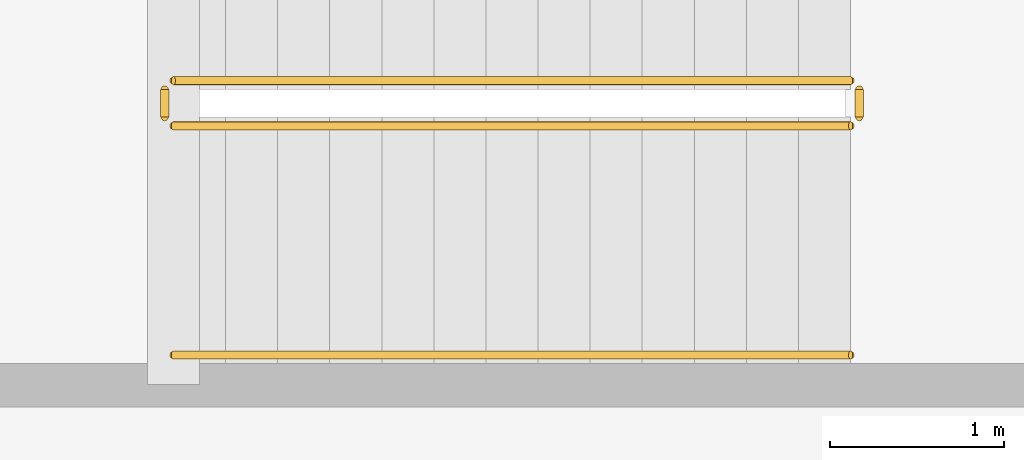
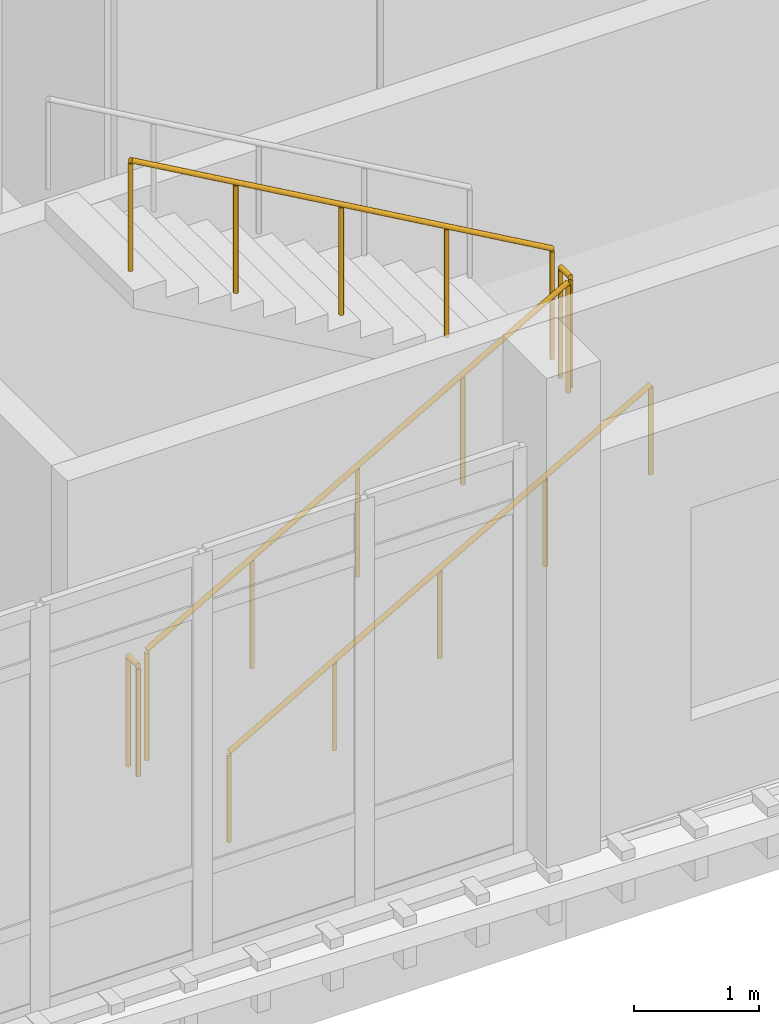
# One storey, part 89 of 101: 5 railings.
"""IFC4 building model written with IfcOpenShell, lengths in metres."""

import ifcopenshell
import ifcopenshell.guid

model = None  # the IFC model being written
_history = None  # IfcOwnerHistory: only IFC2X3 demands one
_inside = {}  # id of a spatial element -> (the spatial element, [elements in it])
_under = {}  # id of a project, library or spatial element -> (it, [spatial elements below it])
_declared = {}  # id of a project -> (the project, [libraries it declares])
_typed = {}  # id of a type object -> (the type object, [elements of that type])
_made_of = {}  # id of a material, layer set ... -> (it, [elements and type objects made of it])


def new_model(schema):
    """Start an empty IFC model of exactly this schema.

    Asked for "IFC4X3", IfcOpenShell would pick the latest addendum, in which some entities
    have other attributes; the version numbers below select the first issue.
    IFC2X3 requires an IfcOwnerHistory on every rooted entity: one is made here for all.
    """
    global model, _history
    if schema == "IFC4X3":
        model = ifcopenshell.file(schema_version=(4, 3, 0, 0))
    else:
        model = ifcopenshell.file(schema=schema)
    _inside.clear()
    _under.clear()
    _declared.clear()
    _typed.clear()
    _made_of.clear()
    _history = None
    if model.schema == "IFC2X3":
        org = make("IfcOrganization", Name="unknown")
        user = make(
            "IfcPersonAndOrganization",
            ThePerson=make("IfcPerson", FamilyName="unknown"),
            TheOrganization=org,
        )
        app = make(
            "IfcApplication",
            ApplicationDeveloper=org,
            Version="unknown",
            ApplicationFullName="unknown",
            ApplicationIdentifier="unknown",
        )
        _history = make(
            "IfcOwnerHistory",
            OwningUser=user,
            OwningApplication=app,
            ChangeAction="ADDED",
            CreationDate=0,
        )
    return model


def make(cls, **values):
    """One entity of the class cls with the attributes given. An attribute that is None is left unset."""
    return model.create_entity(
        cls, **{name: value for name, value in values.items() if value is not None}
    )


def rooted(cls, **values):
    """An entity with a GlobalId (a new one), such as an element, a storey or a relation."""
    return make(cls, GlobalId=ifcopenshell.guid.new(), OwnerHistory=_history, **values)


def si_unit(unit_type, name, prefix=None):
    """IfcSIUnit, for example si_unit("LENGTHUNIT", "METRE", prefix="MILLI")."""
    return make("IfcSIUnit", UnitType=unit_type, Prefix=prefix, Name=name)


def assignment(units):
    """IfcUnitAssignment: the units of a project."""
    return None if units is None else make("IfcUnitAssignment", Units=units)


def point(xyz):
    """IfcCartesianPoint."""
    return None if xyz is None else make("IfcCartesianPoint", Coordinates=xyz)


def direction(xyz):
    """IfcDirection."""
    return None if xyz is None else make("IfcDirection", DirectionRatios=xyz)


def frame(location, z_axis=None, x_axis=None):
    """IfcAxis2Placement3D, a coordinate frame: its origin and axes. An axis left out is left unset."""
    return make(
        "IfcAxis2Placement3D",
        Location=point(location),
        Axis=direction(z_axis),
        RefDirection=direction(x_axis),
    )


def frame_2d(location, x_axis=None):
    """IfcAxis2Placement2D, a coordinate frame in the plane: its origin and x axis."""
    return make(
        "IfcAxis2Placement2D", Location=point(location), RefDirection=direction(x_axis)
    )


def origin():
    """The frame at (0, 0, 0) with its axes left unset."""
    return frame((0.0, 0.0, 0.0))


def origin_2d():
    """The frame at (0, 0) in the plane with its x axis left unset."""
    return frame_2d((0.0, 0.0))


def place(relative_to, where):
    """IfcLocalPlacement: puts the frame where relative to a parent placement (None: the world)."""
    return make(
        "IfcLocalPlacement", PlacementRelTo=relative_to, RelativePlacement=where
    )


def context(
    kind, dimensions, precision=None, world=None, true_north=None, identifier=None
):
    """IfcGeometricRepresentationContext, for example the 3D "Model" context."""
    return make(
        "IfcGeometricRepresentationContext",
        ContextIdentifier=identifier,
        ContextType=kind,
        CoordinateSpaceDimension=dimensions,
        Precision=precision,
        WorldCoordinateSystem=world,
        TrueNorth=true_north,
    )


def subcontext(parent, identifier, kind, view, scale=None):
    """IfcGeometricRepresentationSubContext, for example "Body" below "Model"."""
    return make(
        "IfcGeometricRepresentationSubContext",
        ContextIdentifier=identifier,
        ContextType=kind,
        ParentContext=parent,
        TargetScale=scale,
        TargetView=view,
    )


def project(units=None, contexts=None):
    """IfcProject with its units and contexts."""
    return rooted(
        "IfcProject",
        Name="project",
        RepresentationContexts=contexts,
        UnitsInContext=assignment(units),
    )


def spatial(cls, under=None, at=None, **own):
    """A site, building, storey or space (cls), placed at a placement, below another one or the project."""
    s = rooted(cls, ObjectPlacement=at, **own)
    if under is not None:
        _under.setdefault(under.id(), (under, []))[1].append(s)
    return s


def profile(cls, at=None, kind="AREA", **sizes):
    """A parametric profile (cls). Its sizes go by their IFC names, for example OverallWidth=200.0."""
    return make(cls, ProfileType=kind, Position=at, **sizes)


def circle(**sizes):
    """IfcCircleProfileDef."""
    return profile("IfcCircleProfileDef", **sizes)


def extrude(swept, where, along, depth):
    """IfcExtrudedAreaSolid: the profile swept, set in the frame where, extruded along a direction by depth."""
    return make(
        "IfcExtrudedAreaSolid",
        SweptArea=swept,
        Position=where,
        ExtrudedDirection=direction(along),
        Depth=depth,
    )


def shape(context_of_items, identifier, shape_type, items):
    """IfcShapeRepresentation: the items that make up one representation, for example the "Body"."""
    return make(
        "IfcShapeRepresentation",
        ContextOfItems=context_of_items,
        RepresentationIdentifier=identifier,
        RepresentationType=shape_type,
        Items=items,
    )


def material(Name=None, Category=None):
    """IfcMaterial."""
    return make("IfcMaterial", Name=Name, Category=Category)


def layer(
    of_material, thickness, ventilated=None, Name=None, Category=None, Priority=None
):
    """IfcMaterialLayer: one layer of a wall or slab, of a material (None: an air gap)."""
    return make(
        "IfcMaterialLayer",
        Material=of_material,
        LayerThickness=thickness,
        IsVentilated=ventilated,
        Name=Name,
        Category=Category,
        Priority=Priority,
    )


def layer_set(layers, Name=None):
    """IfcMaterialLayerSet."""
    return make("IfcMaterialLayerSet", MaterialLayers=layers, LayerSetName=Name)


def made_of(thing, what):
    """Note that an element or type object is made of a material, layer set ...; save() writes the relation."""
    if what is not None:
        _made_of.setdefault(what.id(), (what, []))[1].append(thing)
    return thing


def type_object(cls, material=None, **own):
    """A type object (cls), such as IfcWallType, which elements share."""
    return made_of(rooted(cls, **own), material)


def element(
    cls,
    number,
    at=None,
    inside=None,
    cuts=None,
    type_object=None,
    material=None,
    context=None,
    identifier="Body",
    shape_type=None,
    held_by="IfcProductDefinitionShape",
    body=None,
    shapes=None,
    **own,
):
    """One element of the class cls, such as IfcWall. Its Tag is "e" and its number.

    at: its placement. inside: the storey or other place that contains it. cuts: it is an
    opening in that element (IfcRelVoidsElement). A single representation is given by context,
    identifier, shape_type and body (its items); several are given by shapes. held_by: the class
    of the entity that holds the representations. save() writes the other relations.
    """
    e = rooted(cls, Tag="e%d" % number, ObjectPlacement=at, **own)
    if body is not None:
        shapes = [shape(context, identifier, shape_type, body)]
    if shapes is not None:
        e.Representation = make(held_by, Representations=shapes)
    if inside is not None:
        _inside.setdefault(inside.id(), (inside, []))[1].append(e)
    if cuts is not None:
        rooted(
            "IfcRelVoidsElement", RelatingBuildingElement=cuts, RelatedOpeningElement=e
        )
    if type_object is not None:
        _typed.setdefault(type_object.id(), (type_object, []))[1].append(e)
    return made_of(e, material)


def aggregate(whole, parts):
    """IfcRelAggregates: a whole, such as a stair, and the parts it consists of."""
    return rooted("IfcRelAggregates", RelatingObject=whole, RelatedObjects=parts)


def save(model, path):
    """Write the relations noted so far, then the file.

    IfcRelAggregates (storeys below a building ...), IfcRelContainedInSpatialStructure (elements
    in a storey), IfcRelDefinesByType, IfcRelAssociatesMaterial and IfcRelDeclares: one each for
    every whole, place, type object, material and project.
    """
    for whole, parts in _under.values():
        aggregate(whole, parts)
    for where, things in _inside.values():
        rooted(
            "IfcRelContainedInSpatialStructure",
            RelatedElements=things,
            RelatingStructure=where,
        )
    for kind, things in _typed.values():
        rooted("IfcRelDefinesByType", RelatedObjects=things, RelatingType=kind)
    for what, things in _made_of.values():
        rooted("IfcRelAssociatesMaterial", RelatedObjects=things, RelatingMaterial=what)
    for by, libraries in _declared.values():
        rooted("IfcRelDeclares", RelatingContext=by, RelatedDefinitions=libraries)
    model.write(path)


model = new_model("IFC4")

# Units and contexts
model_context = context("Model", 3, precision=1e-05, world=origin(), true_north=direction((0.0, 1.0)))
body_context = subcontext(model_context, "Body", "Model", "MODEL_VIEW")
ifc_project = project(units=[si_unit("LENGTHUNIT", "METRE"), si_unit("AREAUNIT", "SQUARE_METRE"), si_unit("VOLUMEUNIT", "CUBIC_METRE"), si_unit("PLANEANGLEUNIT", "RADIAN"), si_unit("MASSUNIT", "GRAM", prefix="KILO")], contexts=[model_context])

# Site, building, storey
site_placement = place(None, origin())
site = spatial("IfcSite", under=ifc_project, at=site_placement, CompositionType="ELEMENT")
building_placement = place(site_placement, origin())
building = spatial("IfcBuilding", under=site, at=building_placement, Name="Dornvale Research Institute", CompositionType="ELEMENT")
storey_placement = place(building_placement, frame((0.0, 0.0, 10.199951171875)))
storey = spatial("IfcBuildingStorey", under=building, at=storey_placement, Name="L02", CompositionType="ELEMENT", Elevation=10.199951171875)

# Railings
ifc_material_1 = material(Name="Galvanized Painted Tubular Steel Stair Rail", Category="steel")
ifc_layer_1 = layer(ifc_material_1, 0.050048828125)
ifc_layer_set_1 = layer_set([ifc_layer_1], Name="Galvanized Painted Tubular Steel Stair Rail")
railing_type_1 = type_object("IfcRailingType", Name="Railing_Stair_Guard_1100", PredefinedType="GUARDRAIL", material=ifc_layer_set_1)
railing_1_placement = place(storey_placement, frame((123.02001953125, 94.77001953125, 0.17138671875)))
element("IfcRailing", 1, at=railing_1_placement, inside=storey, type_object=railing_type_1, Name="L02 ST-3 stair guard 1", PredefinedType="GUARDRAIL", context=body_context, shape_type="SweptSolid", body=[
    extrude(circle(Radius=0.02392578125, at=origin_2d()), frame((0.0, 0.0, 1.076171875), z_axis=(0.868219727965, 0.0, 0.496179910892), x_axis=(0.0, 1.0, 0.0)), (0.0, 0.0, 1.0), 4.491943359375),
    extrude(circle(Radius=0.02099609375, at=origin_2d()), origin(), (0.0, 0.0, 1.0), 1.052001953125),
    extrude(circle(Radius=0.02099609375, at=origin_2d()), frame((0.97509765625, 0.0, 0.55712890625)), (0.0, 0.0, 1.0), 1.052001953125),
    extrude(circle(Radius=0.02099609375, at=origin_2d()), frame((1.949951171875, 0.0, 1.1142578125)), (0.0, 0.0, 1.0), 1.052001953125),
    extrude(circle(Radius=0.02099609375, at=origin_2d()), frame((2.9248046875, 0.0, 1.671630859375)), (0.0, 0.0, 1.0), 1.052001953125),
    extrude(circle(Radius=0.02099609375, at=origin_2d()), frame((3.89990234375, 0.0, 2.228759765625)), (0.0, 0.0, 1.0), 1.052001953125),
])
railing_2_placement = place(storey_placement, frame((126.969970703125, 94.820068359375, 2.400146484375)))
element("IfcRailing", 2, at=railing_2_placement, inside=storey, type_object=railing_type_1, Name="L02 ST-3 stair guard 2", PredefinedType="GUARDRAIL", context=body_context, shape_type="SweptSolid", body=[
    extrude(circle(Radius=0.02392578125, at=origin_2d()), frame((0.0, 0.0, 1.076171875), z_axis=(0.0, 1.0, 0.0), x_axis=(-1.0, 0.0, 0.0)), (0.0, 0.0, 1.0), 0.159912109375),
    extrude(circle(Radius=0.02099609375, at=origin_2d()), origin(), (0.0, 0.0, 1.0), 1.052001953125),
    extrude(circle(Radius=0.02099609375, at=origin_2d()), frame((0.0, 0.159912109375, 0.0)), (0.0, 0.0, 1.0), 1.052001953125),
])
railing_3_placement = place(storey_placement, frame((126.919921875, 95.030029296875, 2.571533203125)))
element("IfcRailing", 3, at=railing_3_placement, inside=storey, type_object=railing_type_1, Name="L02 ST-3 stair guard 3", PredefinedType="GUARDRAIL", context=body_context, shape_type="SweptSolid", body=[
    extrude(circle(Radius=0.02392578125, at=origin_2d()), frame((0.0, 0.0, 1.076171875), z_axis=(-0.868243142124, 0.0, 0.496138938357), x_axis=(0.0, -1.0, 0.0)), (0.0, 0.0, 1.0), 4.49169921875),
    extrude(circle(Radius=0.02099609375, at=origin_2d()), origin(), (0.0, 0.0, 1.0), 1.052001953125),
    extrude(circle(Radius=0.02099609375, at=origin_2d()), frame((-0.97509765625, 0.0, 0.55712890625)), (0.0, 0.0, 1.0), 1.052001953125),
    extrude(circle(Radius=0.02099609375, at=origin_2d()), frame((-1.949951171875, 0.0, 1.1142578125)), (0.0, 0.0, 1.0), 1.052001953125),
    extrude(circle(Radius=0.02099609375, at=origin_2d()), frame((-2.9248046875, 0.0, 1.67138671875)), (0.0, 0.0, 1.0), 1.052001953125),
    extrude(circle(Radius=0.02099609375, at=origin_2d()), frame((-3.89990234375, 0.0, 2.228515625)), (0.0, 0.0, 1.0), 1.052001953125),
])
railing_4_placement = place(storey_placement, frame((122.969970703125, 94.820068359375, 0.0)))
element("IfcRailing", 4, at=railing_4_placement, inside=storey, type_object=railing_type_1, Name="L02 ST-3 stair guard 4", PredefinedType="GUARDRAIL", context=body_context, shape_type="SweptSolid", body=[
    extrude(circle(Radius=0.02392578125, at=origin_2d()), frame((0.0, 0.0, 1.076171875), z_axis=(0.0, 1.0, 0.0), x_axis=(-1.0, 0.0, 0.0)), (0.0, 0.0, 1.0), 0.159912109375),
    extrude(circle(Radius=0.02099609375, at=origin_2d()), origin(), (0.0, 0.0, 1.0), 1.052001953125),
    extrude(circle(Radius=0.02099609375, at=origin_2d()), frame((0.0, 0.159912109375, 0.0)), (0.0, 0.0, 1.0), 1.052001953125),
])
ifc_material_2 = material(Name="Galvanized Painted Tubular Steel Stair Rail", Category="steel")
ifc_layer_2 = layer(ifc_material_2, 0.044921875)
ifc_layer_set_2 = layer_set([ifc_layer_2], Name="Galvanized Painted Tubular Steel Stair Rail")
railing_type_2 = type_object("IfcRailingType", Name="Railing_Stair_Handrail_900", PredefinedType="HANDRAIL", material=ifc_layer_set_2)
railing_5_placement = place(storey_placement, frame((123.02001953125, 93.449951171875, 0.17138671875)))
element("IfcRailing", 5, at=railing_5_placement, inside=storey, type_object=railing_type_2, Name="L02 ST-3 stair handrail 1", PredefinedType="HANDRAIL", context=body_context, shape_type="SweptSolid", body=[
    extrude(circle(Radius=0.02392578125, at=origin_2d()), frame((0.0, 0.0, 0.8759765625), z_axis=(0.868219727965, 0.0, 0.496179910892), x_axis=(0.0, 1.0, 0.0)), (0.0, 0.0, 1.0), 4.491943359375),
    extrude(circle(Radius=0.02099609375, at=origin_2d()), origin(), (0.0, 0.0, 1.0), 0.851806640625),
    extrude(circle(Radius=0.02099609375, at=origin_2d()), frame((0.97509765625, 0.0, 0.55712890625)), (0.0, 0.0, 1.0), 0.851806640625),
    extrude(circle(Radius=0.02099609375, at=origin_2d()), frame((1.949951171875, 0.0, 1.1142578125)), (0.0, 0.0, 1.0), 0.851806640625),
    extrude(circle(Radius=0.02099609375, at=origin_2d()), frame((2.9248046875, 0.0, 1.671630859375)), (0.0, 0.0, 1.0), 0.851806640625),
    extrude(circle(Radius=0.02099609375, at=origin_2d()), frame((3.89990234375, 0.0, 2.228759765625)), (0.0, 0.0, 1.0), 0.851806640625),
])

save(model, "model.ifc")
